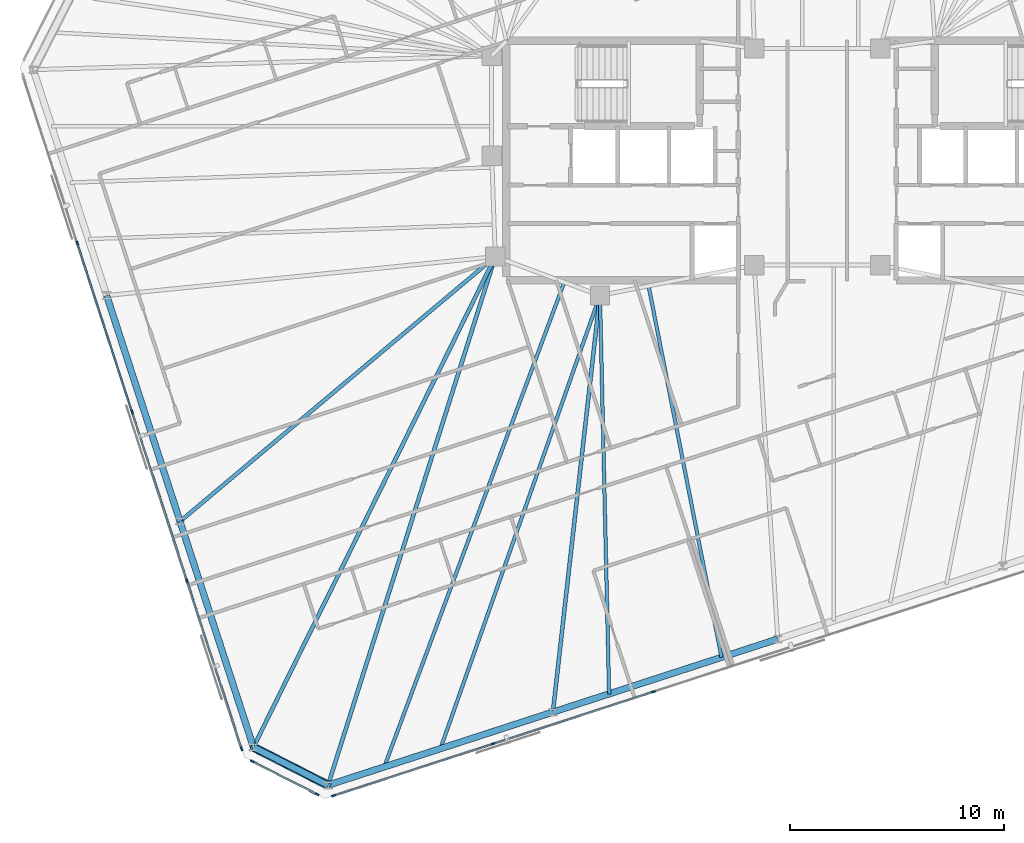
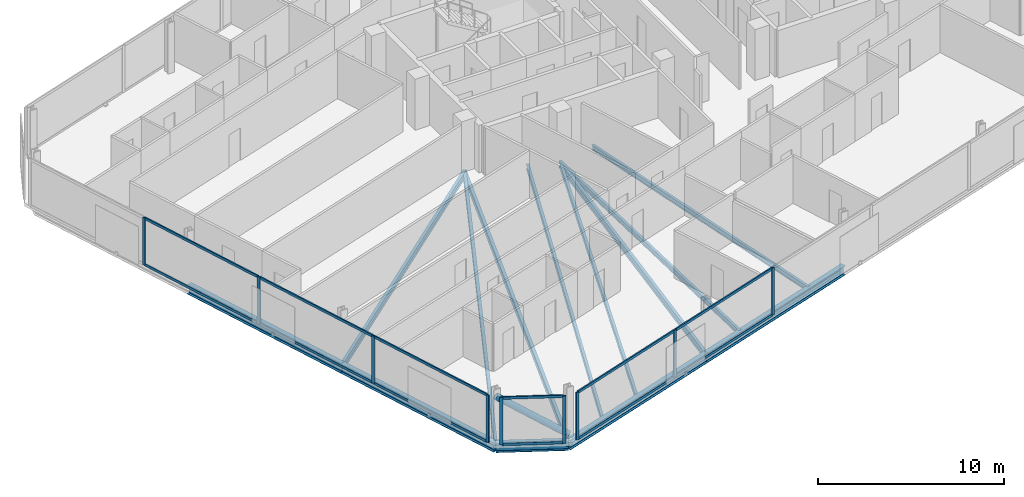
# One storey, part 5 of 20: 22 members, 13 beams, 3 elements without a shape of their own.
"""IFC4 building model written with IfcOpenShell, lengths in metres."""

from ifc_helpers import new_model, si_unit, direction, frame, origin, origin_2d, place, context, subcontext, project, spatial, rectangle, hollow_circle, i_section, extrude, material, material_profile, profile_set, type_object, element, aggregate, save


model = new_model("IFC4")

# Units and contexts
model_context = context("Model", 3, precision=1e-05, world=origin(), true_north=direction((0.0, 1.0)))
body_context = subcontext(model_context, "Body", "Model", "MODEL_VIEW")
ifc_project = project(units=[si_unit("LENGTHUNIT", "METRE"), si_unit("AREAUNIT", "SQUARE_METRE"), si_unit("VOLUMEUNIT", "CUBIC_METRE"), si_unit("PLANEANGLEUNIT", "RADIAN"), si_unit("MASSUNIT", "GRAM", prefix="KILO")], contexts=[model_context])

# Site, building, storey
site_placement = place(None, origin())
site = spatial("IfcSite", under=ifc_project, at=site_placement, CompositionType="ELEMENT")
building_placement = place(site_placement, origin())
building = spatial("IfcBuilding", under=site, at=building_placement, Name="Menara Jurai Vektor", CompositionType="ELEMENT")
storey_placement = place(building_placement, frame((0.0, 0.0, 237.699951171875)))
storey = spatial("IfcBuildingStorey", under=building, at=storey_placement, Name="L63", CompositionType="ELEMENT", Elevation=237.699951171875)

# Curtain wall, members
ifc_material_1 = material(Name="Anodised Pale Aluminium & Low-E Double Glazing", Category="aluminium")
curtain_wall_type = type_object("IfcCurtainWallType", Name="CW-BLK4", PredefinedType="NOTDEFINED", material=ifc_material_1)
curtain_wall_1_placement = place(storey_placement, origin())
curtain_wall_1 = element("IfcCurtainWall", 1, at=curtain_wall_1_placement, inside=storey, type_object=curtain_wall_type, Name="Unitised Curtain Wall L63 F01", PredefinedType="NOTDEFINED")
ifc_material_2 = material(Name="Anodised Pale Aluminium Mullion", Category="aluminium")
ifc_material_profile_1 = material_profile(ifc_material_2, rectangle(XDim=0.080078125, YDim=0.18994140625, at=origin_2d()), Name="ALU MUL 80x190")
ifc_profile_set_1 = profile_set([ifc_material_profile_1], Name="Anodised Pale Aluminium Mullion")
member_type_1 = type_object("IfcMemberType", Name="CW-BLK4-MUL", PredefinedType="MULLION", material=ifc_profile_set_1)
member_1_placement = place(storey_placement, frame((-22.649658203125, -29.743896484375, 0.0), z_axis=(0.0, 0.0, 1.0), x_axis=(-0.309017344167, 0.951056402641, 0.0)))
member_1 = element("IfcMember", 2, at=member_1_placement, type_object=member_type_1, Name="CW-04 mullion 1", PredefinedType="MULLION", context=body_context, shape_type="SweptSolid", body=[
    extrude(rectangle(XDim=0.080078125, YDim=0.18994140625, at=origin_2d()), origin(), (0.0, 0.0, 1.0), 3.125),
])
member_2_placement = place(storey_placement, frame((-15.1826171875, -27.317626953125, 0.0), z_axis=(0.0, 0.0, 1.0), x_axis=(-0.309017344167, 0.951056402641, 0.0)))
member_2 = element("IfcMember", 3, at=member_2_placement, type_object=member_type_1, Name="CW-04 mullion 2", PredefinedType="MULLION", context=body_context, shape_type="SweptSolid", body=[
    extrude(rectangle(XDim=0.080078125, YDim=0.18994140625, at=origin_2d()), origin(), (0.0, 0.0, 1.0), 3.125),
])
member_3_placement = place(storey_placement, frame((-7.677490234375, -24.879150390625, 0.0), z_axis=(0.0, 0.0, 1.0), x_axis=(-0.309017344167, 0.951056402641, 0.0)))
member_3 = element("IfcMember", 4, at=member_3_placement, type_object=member_type_1, Name="CW-04 mullion 3", PredefinedType="MULLION", context=body_context, shape_type="SweptSolid", body=[
    extrude(rectangle(XDim=0.080078125, YDim=0.18994140625, at=origin_2d()), origin(), (0.0, 0.0, 1.0), 3.125),
])

curtain_wall_2_placement = place(storey_placement, origin())
curtain_wall_2 = element("IfcCurtainWall", 5, at=curtain_wall_2_placement, inside=storey, type_object=curtain_wall_type, Name="Unitised Curtain Wall L63 F07", PredefinedType="NOTDEFINED")
member_4_placement = place(storey_placement, frame((-34.650634765625, -3.876220703125, 0.0), z_axis=(0.0, 0.0, 1.0), x_axis=(0.95105668295, 0.309016481464, 0.0)))
member_4 = element("IfcMember", 6, at=member_4_placement, type_object=member_type_1, Name="CW-04 mullion 2", PredefinedType="MULLION", context=body_context, shape_type="SweptSolid", body=[
    extrude(rectangle(XDim=0.080078125, YDim=0.18994140625, at=origin_2d()), origin(), (0.0, 0.0, 1.0), 3.125),
])
member_5_placement = place(storey_placement, frame((-32.082763671875, -11.779541015625, 0.0), z_axis=(0.0, 0.0, 1.0), x_axis=(0.95105668295, 0.309016481464, 0.0)))
member_5 = element("IfcMember", 7, at=member_5_placement, type_object=member_type_1, Name="CW-04 mullion 3", PredefinedType="MULLION", context=body_context, shape_type="SweptSolid", body=[
    extrude(rectangle(XDim=0.080078125, YDim=0.18994140625, at=origin_2d()), origin(), (0.0, 0.0, 1.0), 3.125),
])
member_6_placement = place(storey_placement, frame((-29.514892578125, -19.682861328125, 0.0), z_axis=(0.0, 0.0, 1.0), x_axis=(0.95105668295, 0.309016481464, 0.0)))
member_6 = element("IfcMember", 8, at=member_6_placement, type_object=member_type_1, Name="CW-04 mullion 4", PredefinedType="MULLION", context=body_context, shape_type="SweptSolid", body=[
    extrude(rectangle(XDim=0.080078125, YDim=0.18994140625, at=origin_2d()), origin(), (0.0, 0.0, 1.0), 3.125),
])
member_7_placement = place(storey_placement, frame((-26.959228515625, -27.548095703125, 0.0), z_axis=(0.0, 0.0, 1.0), x_axis=(0.95105668295, 0.309016481464, 0.0)))
member_7 = element("IfcMember", 9, at=member_7_placement, type_object=member_type_1, Name="CW-04 mullion 5", PredefinedType="MULLION", context=body_context, shape_type="SweptSolid", body=[
    extrude(rectangle(XDim=0.080078125, YDim=0.18994140625, at=origin_2d()), origin(), (0.0, 0.0, 1.0), 3.125),
])

curtain_wall_3_placement = place(storey_placement, origin())
curtain_wall_3 = element("IfcCurtainWall", 10, at=curtain_wall_3_placement, inside=storey, type_object=curtain_wall_type, Name="Unitised Curtain Wall L63 F08", PredefinedType="NOTDEFINED")
member_8_placement = place(storey_placement, frame((-26.455322265625, -28.13818359375, 0.0), z_axis=(0.0, 0.0, 1.0), x_axis=(0.453988579828, 0.89100750243, 0.0)))
member_8 = element("IfcMember", 11, at=member_8_placement, type_object=member_type_1, Name="CW-04 mullion 1", PredefinedType="MULLION", context=body_context, shape_type="SweptSolid", body=[
    extrude(rectangle(XDim=0.080078125, YDim=0.18994140625, at=origin_2d()), origin(), (0.0, 0.0, 1.0), 3.125),
])
member_9_placement = place(storey_placement, frame((-23.42333984375, -29.682861328125, 0.0), z_axis=(0.0, 0.0, 1.0), x_axis=(0.453988579828, 0.89100750243, 0.0)))
member_9 = element("IfcMember", 12, at=member_9_placement, type_object=member_type_1, Name="CW-04 mullion 2", PredefinedType="MULLION", context=body_context, shape_type="SweptSolid", body=[
    extrude(rectangle(XDim=0.080078125, YDim=0.18994140625, at=origin_2d()), origin(), (0.0, 0.0, 1.0), 3.125),
])

# Member
ifc_material_3 = material(Name="Anodised Pale Aluminium Transom", Category="aluminium")
ifc_material_profile_2 = material_profile(ifc_material_3, rectangle(XDim=0.080078125, YDim=0.1650390625, at=origin_2d()), Name="ALU TRN 80x165")
ifc_profile_set_2 = profile_set([ifc_material_profile_2], Name="Anodised Pale Aluminium Transom")
member_type_2 = type_object("IfcMemberType", Name="CW-BLK4-TRN", PredefinedType="USERDEFINED", material=ifc_profile_set_2)
member_10_placement = place(storey_placement, frame((-22.61181640625, -29.7314453125, 0.0400390625), z_axis=(0.951062230089, 0.308999408573, 0.0), x_axis=(-0.308999408573, 0.951062230089, 0.0)))
member_10 = element("IfcMember", 13, at=member_10_placement, type_object=member_type_2, Name="CW-04 transom 1.1", ObjectType="TRANSOM", PredefinedType="USERDEFINED", context=body_context, shape_type="SweptSolid", body=[
    extrude(rectangle(XDim=0.080078125, YDim=0.1650390625, at=origin_2d()), origin(), (0.0, 0.0, 1.0), 7.771484375),
])

member_11_placement = place(storey_placement, frame((-22.61181640625, -29.7314453125, 3.0849609375), z_axis=(0.951062230089, 0.308999408573, 0.0), x_axis=(-0.308999408573, 0.951062230089, 0.0)))
member_11 = element("IfcMember", 14, at=member_11_placement, type_object=member_type_2, Name="CW-04 transom 1.2", ObjectType="TRANSOM", PredefinedType="USERDEFINED", context=body_context, shape_type="SweptSolid", body=[
    extrude(rectangle(XDim=0.080078125, YDim=0.1650390625, at=origin_2d()), origin(), (0.0, 0.0, 1.0), 7.771484375),
])

member_12_placement = place(storey_placement, frame((-15.14453125, -27.30517578125, 0.0400390625), z_axis=(0.95105634578, 0.309017519167, 0.0), x_axis=(-0.309017519167, 0.95105634578, 0.0)))
member_12 = element("IfcMember", 15, at=member_12_placement, type_object=member_type_2, Name="CW-04 transom 2.1", ObjectType="TRANSOM", PredefinedType="USERDEFINED", context=body_context, shape_type="SweptSolid", body=[
    extrude(rectangle(XDim=0.080078125, YDim=0.1650390625, at=origin_2d()), origin(), (0.0, 0.0, 1.0), 7.811279296875),
])

member_13_placement = place(storey_placement, frame((-15.14453125, -27.30517578125, 3.0849609375), z_axis=(0.95105634578, 0.309017519167, 0.0), x_axis=(-0.309017519167, 0.95105634578, 0.0)))
member_13 = element("IfcMember", 16, at=member_13_placement, type_object=member_type_2, Name="CW-04 transom 2.2", ObjectType="TRANSOM", PredefinedType="USERDEFINED", context=body_context, shape_type="SweptSolid", body=[
    extrude(rectangle(XDim=0.080078125, YDim=0.1650390625, at=origin_2d()), origin(), (0.0, 0.0, 1.0), 7.811279296875),
])

aggregate(curtain_wall_1, [member_1, member_2, member_3, member_10, member_11, member_12, member_13])

member_14_placement = place(storey_placement, frame((-34.638427734375, -3.914306640625, 0.0400390625), z_axis=(0.309018994408, -0.951055866443, 0.0), x_axis=(0.951055866443, 0.309018994408, 0.0)))
member_14 = element("IfcMember", 17, at=member_14_placement, type_object=member_type_2, Name="CW-04 transom 2.1", ObjectType="TRANSOM", PredefinedType="USERDEFINED", context=body_context, shape_type="SweptSolid", body=[
    extrude(rectangle(XDim=0.080078125, YDim=0.1650390625, at=origin_2d()), origin(), (0.0, 0.0, 1.0), 8.22998046875),
])

member_15_placement = place(storey_placement, frame((-34.638427734375, -3.914306640625, 3.0849609375), z_axis=(0.309018994408, -0.951055866443, 0.0), x_axis=(0.951055866443, 0.309018994408, 0.0)))
member_15 = element("IfcMember", 18, at=member_15_placement, type_object=member_type_2, Name="CW-04 transom 2.2", ObjectType="TRANSOM", PredefinedType="USERDEFINED", context=body_context, shape_type="SweptSolid", body=[
    extrude(rectangle(XDim=0.080078125, YDim=0.1650390625, at=origin_2d()), origin(), (0.0, 0.0, 1.0), 8.22998046875),
])

member_16_placement = place(storey_placement, frame((-32.0703125, -11.817626953125, 0.0400390625), z_axis=(0.309018994408, -0.951055866443, 0.0), x_axis=(0.951055866443, 0.309018994408, 0.0)))
member_16 = element("IfcMember", 19, at=member_16_placement, type_object=member_type_2, Name="CW-04 transom 3.1", ObjectType="TRANSOM", PredefinedType="USERDEFINED", context=body_context, shape_type="SweptSolid", body=[
    extrude(rectangle(XDim=0.080078125, YDim=0.1650390625, at=origin_2d()), origin(), (0.0, 0.0, 1.0), 8.22998046875),
])

member_17_placement = place(storey_placement, frame((-32.0703125, -11.817626953125, 3.0849609375), z_axis=(0.309018994408, -0.951055866443, 0.0), x_axis=(0.951055866443, 0.309018994408, 0.0)))
member_17 = element("IfcMember", 20, at=member_17_placement, type_object=member_type_2, Name="CW-04 transom 3.2", ObjectType="TRANSOM", PredefinedType="USERDEFINED", context=body_context, shape_type="SweptSolid", body=[
    extrude(rectangle(XDim=0.080078125, YDim=0.1650390625, at=origin_2d()), origin(), (0.0, 0.0, 1.0), 8.22998046875),
])

member_18_placement = place(storey_placement, frame((-29.50244140625, -19.720947265625, 0.0400390625), z_axis=(0.309010577384, -0.951058601278, 0.0), x_axis=(0.951058601278, 0.309010577384, 0.0)))
member_18 = element("IfcMember", 21, at=member_18_placement, type_object=member_type_2, Name="CW-04 transom 4.1", ObjectType="TRANSOM", PredefinedType="USERDEFINED", context=body_context, shape_type="SweptSolid", body=[
    extrude(rectangle(XDim=0.080078125, YDim=0.1650390625, at=origin_2d()), origin(), (0.0, 0.0, 1.0), 8.18994140625),
])

member_19_placement = place(storey_placement, frame((-29.50244140625, -19.720947265625, 3.0849609375), z_axis=(0.309010577384, -0.951058601278, 0.0), x_axis=(0.951058601278, 0.309010577384, 0.0)))
member_19 = element("IfcMember", 22, at=member_19_placement, type_object=member_type_2, Name="CW-04 transom 4.2", ObjectType="TRANSOM", PredefinedType="USERDEFINED", context=body_context, shape_type="SweptSolid", body=[
    extrude(rectangle(XDim=0.080078125, YDim=0.1650390625, at=origin_2d()), origin(), (0.0, 0.0, 1.0), 8.18994140625),
])

aggregate(curtain_wall_2, [member_4, member_5, member_6, member_7, member_14, member_15, member_16, member_17, member_18, member_19])

member_20_placement = place(storey_placement, frame((-26.419677734375, -28.15625, 0.0400390625), z_axis=(0.89100697374, -0.453989617444, 0.0), x_axis=(0.453989617444, 0.89100697374, 0.0)))
member_20 = element("IfcMember", 23, at=member_20_placement, type_object=member_type_2, Name="CW-04 transom 1.1", ObjectType="TRANSOM", PredefinedType="USERDEFINED", context=body_context, shape_type="SweptSolid", body=[
    extrude(rectangle(XDim=0.080078125, YDim=0.1650390625, at=origin_2d()), origin(), (0.0, 0.0, 1.0), 3.32275390625),
])

member_21_placement = place(storey_placement, frame((-26.419677734375, -28.15625, 3.0849609375), z_axis=(0.89100697374, -0.453989617444, 0.0), x_axis=(0.453989617444, 0.89100697374, 0.0)))
member_21 = element("IfcMember", 24, at=member_21_placement, type_object=member_type_2, Name="CW-04 transom 1.2", ObjectType="TRANSOM", PredefinedType="USERDEFINED", context=body_context, shape_type="SweptSolid", body=[
    extrude(rectangle(XDim=0.080078125, YDim=0.1650390625, at=origin_2d()), origin(), (0.0, 0.0, 1.0), 3.32275390625),
])

aggregate(curtain_wall_3, [member_8, member_9, member_20, member_21])

# Beams
ifc_material_4 = material(Name="Steel S355", Category="steel")
ifc_material_profile_3 = material_profile(ifc_material_4, i_section(OverallWidth=0.18505859375, OverallDepth=0.429931640625, WebThickness=0.010986328125, FlangeThickness=0.01806640625, at=origin_2d()), Name="PG 430x185x76")
ifc_profile_set_3 = profile_set([ifc_material_profile_3], Name="Steel S355")
beam_type_1 = type_object("IfcBeamType", Name="STR-BM-430", PredefinedType="BEAM", material=ifc_profile_set_3)
beam_1_placement = place(storey_placement, frame((-22.912841796875, -29.2509765625, -0.43994140625), z_axis=(0.301715059084, 0.953398145122, 0.0), x_axis=(-0.953398145122, 0.301715059084, 0.0)))
element("IfcBeam", 25, at=beam_1_placement, inside=storey, type_object=beam_type_1, Name="Radial Floor Girder L63-S1", PredefinedType="BEAM", context=body_context, shape_type="SweptSolid", body=[
    extrude(i_section(OverallWidth=0.18505859375, OverallDepth=0.429931640625, WebThickness=0.010986328125, FlangeThickness=0.01806640625, at=origin_2d()), origin(), (0.0, 0.0, 1.0), 25.960693359375),
])
beam_2_placement = place(storey_placement, frame((-12.383544921875, -25.829833984375, -0.43994140625), z_axis=(0.112235588534, 0.993681625404, 0.0), x_axis=(-0.993681625404, 0.112235588534, 0.0)))
element("IfcBeam", 26, at=beam_2_placement, inside=storey, type_object=beam_type_1, Name="Radial Floor Girder L63-S2", PredefinedType="BEAM", context=body_context, shape_type="SweptSolid", body=[
    extrude(i_section(OverallWidth=0.18505859375, OverallDepth=0.429931640625, WebThickness=0.010986328125, FlangeThickness=0.01806640625, at=origin_2d()), origin(), (0.0, 0.0, 1.0), 19.6337890625),
])
beam_3_placement = place(storey_placement, frame((-29.841796875, -16.896728515625, -0.43994140625), z_axis=(0.765784449649, 0.64309733064, 0.0), x_axis=(-0.64309733064, 0.765784449649, 0.0)))
element("IfcBeam", 27, at=beam_3_placement, inside=storey, type_object=beam_type_1, Name="Radial Floor Girder L63-W3", PredefinedType="BEAM", context=body_context, shape_type="SweptSolid", body=[
    extrude(i_section(OverallWidth=0.18505859375, OverallDepth=0.429931640625, WebThickness=0.010986328125, FlangeThickness=0.01806640625, at=origin_2d()), origin(), (0.0, 0.0, 1.0), 19.276611328125),
])
beam_4_placement = place(storey_placement, frame((-26.406005859375, -27.47119140625, -0.43994140625), z_axis=(0.442219272094, 0.896906971424, 0.0), x_axis=(-0.896906971424, 0.442219272094, 0.0)))
element("IfcBeam", 28, at=beam_4_placement, inside=storey, type_object=beam_type_1, Name="Radial Floor Girder L63-W4", PredefinedType="BEAM", context=body_context, shape_type="SweptSolid", body=[
    extrude(i_section(OverallWidth=0.18505859375, OverallDepth=0.429931640625, WebThickness=0.010986328125, FlangeThickness=0.01806640625, at=origin_2d()), origin(), (0.0, 0.0, 1.0), 25.611572265625),
])

# Member
ifc_material_5 = material(Name="Steel S460", Category="steel")
ifc_material_profile_4 = material_profile(ifc_material_5, hollow_circle(Radius=0.203125, WallThickness=0.01611328125, at=origin_2d()), Name="CHS 406.4x16")
ifc_profile_set_4 = profile_set([ifc_material_profile_4], Name="Steel S460")
member_type_3 = type_object("IfcMemberType", Name="STR-BR-406", PredefinedType="BRACE", material=ifc_profile_set_4)
member_22_placement = place(storey_placement, frame((-22.912841796875, -29.2509765625, 0.150146484375), z_axis=(-0.740375367811, 0.377225079071, 0.556368182465), x_axis=(-0.453976155955, -0.891013832566, 0.0)))
element("IfcMember", 29, at=member_22_placement, inside=storey, type_object=member_type_3, Name="Exoskeleton Corner Brace L63-4", PredefinedType="BRACE", context=body_context, shape_type="SweptSolid", body=[
    extrude(hollow_circle(Radius=0.203125, WallThickness=0.01611328125, at=origin_2d()), origin(), (0.0, 0.0, 1.0), 4.718017578125),
])

# Beams
ifc_material_profile_5 = material_profile(ifc_material_4, i_section(OverallWidth=0.1650390625, OverallDepth=0.330078125, WebThickness=0.009033203125, FlangeThickness=0.013916015625, at=origin_2d()), Name="PG 330x165x46")
ifc_profile_set_5 = profile_set([ifc_material_profile_5], Name="Steel S355")
beam_type_2 = type_object("IfcBeamType", Name="STR-JS-330", PredefinedType="JOIST", material=ifc_profile_set_5)
beam_5_placement = place(storey_placement, frame((-20.280517578125, -28.395751953125, -0.389892578125), z_axis=(0.348182225555, 0.937426870645, 0.0), x_axis=(-0.937426870645, 0.348182225555, 0.0)))
element("IfcBeam", 30, at=beam_5_placement, inside=storey, type_object=beam_type_2, Name="Radial Secondary Floor Joist L63-JS01", PredefinedType="JOIST", context=body_context, shape_type="SweptSolid", body=[
    extrude(i_section(OverallWidth=0.1650390625, OverallDepth=0.330078125, WebThickness=0.009033203125, FlangeThickness=0.013916015625, at=origin_2d()), origin(), (0.0, 0.0, 1.0), 24.211181640625),
])
beam_6_placement = place(storey_placement, frame((-17.648193359375, -27.540283203125, -0.389892578125), z_axis=(0.331980963321, 0.943286085974, 0.0), x_axis=(-0.943286085974, 0.331980963321, 0.0)))
element("IfcBeam", 31, at=beam_6_placement, inside=storey, type_object=beam_type_2, Name="Radial Secondary Floor Joist L63-JS02", PredefinedType="JOIST", context=body_context, shape_type="SweptSolid", body=[
    extrude(i_section(OverallWidth=0.1650390625, OverallDepth=0.330078125, WebThickness=0.009033203125, FlangeThickness=0.013916015625, at=origin_2d()), origin(), (0.0, 0.0, 1.0), 22.49609375),
])
beam_7_placement = place(storey_placement, frame((-9.751220703125, -24.974609375, -0.389892578125), z_axis=(-0.022975519442, 0.999736027913, 0.0), x_axis=(-0.999736027913, -0.022975519442, 0.0)))
element("IfcBeam", 32, at=beam_7_placement, inside=storey, type_object=beam_type_2, Name="Radial Secondary Floor Joist L63-JS03", PredefinedType="JOIST", context=body_context, shape_type="SweptSolid", body=[
    extrude(i_section(OverallWidth=0.1650390625, OverallDepth=0.330078125, WebThickness=0.009033203125, FlangeThickness=0.013916015625, at=origin_2d()), origin(), (0.0, 0.0, 1.0), 18.659423828125),
])
beam_8_placement = place(storey_placement, frame((-4.486572265625, -23.263916015625, -0.389892578125), z_axis=(-0.192724225092, 0.981252960792, 0.0), x_axis=(-0.981252960792, -0.192724225092, 0.0)))
element("IfcBeam", 33, at=beam_8_placement, inside=storey, type_object=beam_type_2, Name="Radial Secondary Floor Joist L63-JS04", PredefinedType="JOIST", context=body_context, shape_type="SweptSolid", body=[
    extrude(i_section(OverallWidth=0.1650390625, OverallDepth=0.330078125, WebThickness=0.009033203125, FlangeThickness=0.013916015625, at=origin_2d()), origin(), (0.0, 0.0, 1.0), 17.7236328125),
])
ifc_material_profile_6 = material_profile(ifc_material_4, i_section(OverallWidth=0.306884765625, OverallDepth=0.6201171875, WebThickness=0.013916015625, FlangeThickness=0.02392578125, FilletRadius=0.01708984375, at=origin_2d()), Name="UKB 610x305x179")
ifc_profile_set_6 = profile_set([ifc_material_profile_6], Name="Steel S355")
beam_type_3 = type_object("IfcBeamType", Name="STR-SP-610", PredefinedType="SPANDREL", material=ifc_profile_set_6)
for number, where, z_axis, x_axis, name in (
    (34, (-22.912841796875, -29.2509765625, -0.534912109375), (0.951057401967, 0.309014268544, 0.0), (-0.309014268544, 0.951057401967, 0.0), "Exoskeleton Spandrel Beam L63-01"),
    (35, (-12.383544921875, -25.829833984375, -0.534912109375), (0.951057401967, 0.309014268544, 0.0), (-0.309014268544, 0.951057401967, 0.0), "Exoskeleton Spandrel Beam L63-02"),
):
    element("IfcBeam", number, at=place(storey_placement, frame(where, z_axis=z_axis, x_axis=x_axis)), inside=storey, type_object=beam_type_3, Name=name, PredefinedType="SPANDREL", context=body_context, shape_type="SweptSolid", body=[
        extrude(i_section(OverallWidth=0.306884765625, OverallDepth=0.6201171875, WebThickness=0.013916015625, FlangeThickness=0.02392578125, FilletRadius=0.01708984375, at=origin_2d()), origin(), (0.0, 0.0, 1.0), 11.071044921875),
    ])
beam_9_placement = place(storey_placement, frame((-33.277587890625, -6.322509765625, -0.534912109375), z_axis=(0.309018545885, -0.951056012178, 0.0), x_axis=(0.951056012178, 0.309018545885, 0.0)))
element("IfcBeam", 36, at=beam_9_placement, inside=storey, type_object=beam_type_3, Name="Exoskeleton Spandrel Beam L63-18", PredefinedType="SPANDREL", context=body_context, shape_type="SweptSolid", body=[
    extrude(i_section(OverallWidth=0.306884765625, OverallDepth=0.6201171875, WebThickness=0.013916015625, FlangeThickness=0.02392578125, FilletRadius=0.01708984375, at=origin_2d()), origin(), (0.0, 0.0, 1.0), 11.118408203125),
])
beam_10_placement = place(storey_placement, frame((-29.841796875, -16.896728515625, -0.534912109375), z_axis=(0.309012092614, -0.95105810896, 0.0), x_axis=(0.95105810896, 0.309012092614, 0.0)))
element("IfcBeam", 37, at=beam_10_placement, inside=storey, type_object=beam_type_3, Name="Exoskeleton Spandrel Beam L63-19", PredefinedType="SPANDREL", context=body_context, shape_type="SweptSolid", body=[
    extrude(i_section(OverallWidth=0.306884765625, OverallDepth=0.6201171875, WebThickness=0.013916015625, FlangeThickness=0.02392578125, FilletRadius=0.01708984375, at=origin_2d()), origin(), (0.0, 0.0, 1.0), 11.11865234375),
])
beam_11_placement = place(storey_placement, frame((-26.406005859375, -27.47119140625, -0.534912109375), z_axis=(0.891013832566, -0.453976155955, 0.0), x_axis=(0.453976155955, 0.891013832566, 0.0)))
element("IfcBeam", 38, at=beam_11_placement, inside=storey, type_object=beam_type_3, Name="Exoskeleton Spandrel Beam L63-20", PredefinedType="SPANDREL", context=body_context, shape_type="SweptSolid", body=[
    extrude(i_section(OverallWidth=0.306884765625, OverallDepth=0.6201171875, WebThickness=0.013916015625, FlangeThickness=0.02392578125, FilletRadius=0.01708984375, at=origin_2d()), origin(), (0.0, 0.0, 1.0), 3.92041015625),
])

save(model, "model.ifc")
